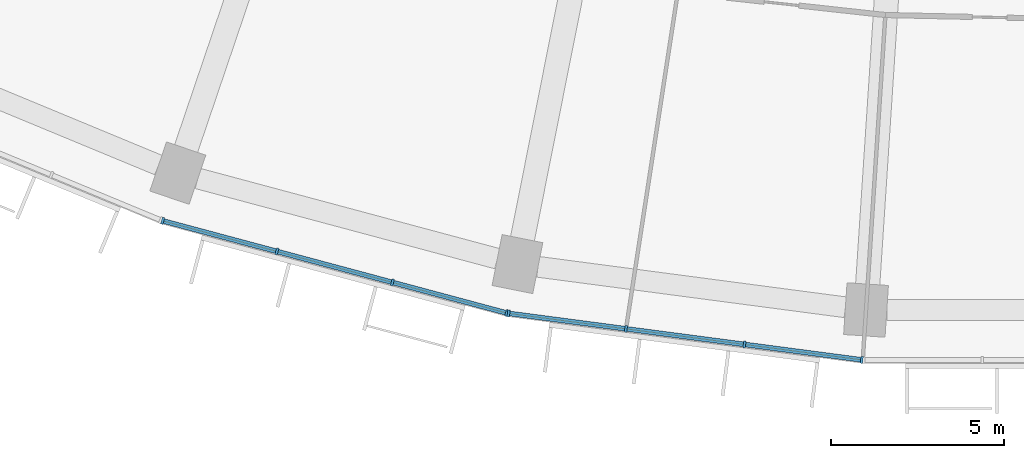
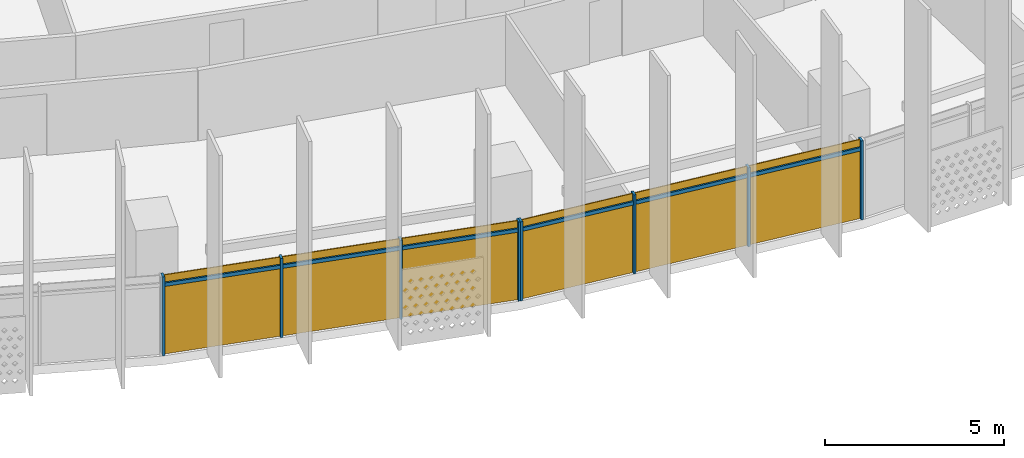
# One storey, part 19 of 30: 14 members, 2 curtain walls.
"""IFC4 building model written with IfcOpenShell, lengths in metres."""

from ifc_helpers import new_model, si_unit, direction, frame, origin, origin_2d, place, context, subcontext, project, spatial, rectangle, extrude, material, material_profile, profile_set, type_object, element, aggregate, save


model = new_model("IFC4")

# Units and contexts
model_context = context("Model", 3, precision=1e-05, world=origin(), true_north=direction((0.0, 1.0)))
body_context = subcontext(model_context, "Body", "Model", "MODEL_VIEW")
ifc_project = project(units=[si_unit("LENGTHUNIT", "METRE"), si_unit("AREAUNIT", "SQUARE_METRE"), si_unit("VOLUMEUNIT", "CUBIC_METRE"), si_unit("PLANEANGLEUNIT", "RADIAN"), si_unit("MASSUNIT", "GRAM", prefix="KILO")], contexts=[model_context])

# Member
ifc_material = material(Name="Aluminium 6063-T6 anodised", Category="aluminium")
ifc_material_profile_1 = material_profile(ifc_material, rectangle(XDim=0.199951171875, YDim=0.070068359375, at=origin_2d()))
ifc_profile_set_1 = profile_set([ifc_material_profile_1], Name="Aluminium 6063-T6 anodised")
member_type_1 = type_object("IfcMemberType", Name="Mullion 70 x 200 aluminium", PredefinedType="MULLION", material=ifc_profile_set_1)
site_placement = place(None, origin())
building_placement = place(site_placement, origin())
storey_placement = place(building_placement, frame((0.0, 0.0, 110.10009765625)))
member_1_placement = place(storey_placement, frame((-25.430419921875, -75.00390625, 0.0), z_axis=(0.0, 0.0, 1.0), x_axis=(0.258819045103, 0.965925826289, 0.0)))
member_1 = element("IfcMember", 1, at=member_1_placement, type_object=member_type_1, Name="e-cw1-L24-out07/M00", PredefinedType="MULLION", context=body_context, shape_type="SweptSolid", body=[
    extrude(rectangle(XDim=0.199951171875, YDim=0.070068359375, at=origin_2d()), origin(), (0.0, 0.0, 1.0), 2.699951171875),
])

member_2_placement = place(storey_placement, frame((-22.12451171875, -75.889892578125, 0.0), z_axis=(0.0, 0.0, 1.0), x_axis=(0.258819045103, 0.965925826289, 0.0)))
member_2 = element("IfcMember", 2, at=member_2_placement, type_object=member_type_1, Name="e-cw1-L24-out07/M01", PredefinedType="MULLION", context=body_context, shape_type="SweptSolid", body=[
    extrude(rectangle(XDim=0.199951171875, YDim=0.070068359375, at=origin_2d()), origin(), (0.0, 0.0, 1.0), 2.699951171875),
])

member_3_placement = place(storey_placement, frame((-18.78466796875, -76.78466796875, 0.0), z_axis=(0.0, 0.0, 1.0), x_axis=(0.258819045103, 0.965925826289, 0.0)))
member_3 = element("IfcMember", 3, at=member_3_placement, type_object=member_type_1, Name="e-cw1-L24-out07/M02", PredefinedType="MULLION", context=body_context, shape_type="SweptSolid", body=[
    extrude(rectangle(XDim=0.199951171875, YDim=0.070068359375, at=origin_2d()), origin(), (0.0, 0.0, 1.0), 2.699951171875),
])

member_4_placement = place(storey_placement, frame((-15.478515625, -77.670654296875, 0.0), z_axis=(0.0, 0.0, 1.0), x_axis=(0.258819045103, 0.965925826289, 0.0)))
member_4 = element("IfcMember", 4, at=member_4_placement, type_object=member_type_1, Name="e-cw1-L24-out07/M03", PredefinedType="MULLION", context=body_context, shape_type="SweptSolid", body=[
    extrude(rectangle(XDim=0.199951171875, YDim=0.070068359375, at=origin_2d()), origin(), (0.0, 0.0, 1.0), 2.699951171875),
])

member_5_placement = place(storey_placement, frame((-15.4228515625, -77.681640625, 0.0), z_axis=(0.0, 0.0, 1.0), x_axis=(0.13052619222, 0.991444861374, 0.0)))
member_5 = element("IfcMember", 5, at=member_5_placement, type_object=member_type_1, Name="e-cw1-L24-out08/M00", PredefinedType="MULLION", context=body_context, shape_type="SweptSolid", body=[
    extrude(rectangle(XDim=0.199951171875, YDim=0.070068359375, at=origin_2d()), origin(), (0.0, 0.0, 1.0), 2.699951171875),
])

member_6_placement = place(storey_placement, frame((-12.029541015625, -78.12841796875, 0.0), z_axis=(0.0, 0.0, 1.0), x_axis=(0.13052619222, 0.991444861374, 0.0)))
member_6 = element("IfcMember", 6, at=member_6_placement, type_object=member_type_1, Name="e-cw1-L24-out08/M01", PredefinedType="MULLION", context=body_context, shape_type="SweptSolid", body=[
    extrude(rectangle(XDim=0.199951171875, YDim=0.070068359375, at=origin_2d()), origin(), (0.0, 0.0, 1.0), 2.699951171875),
])

member_7_placement = place(storey_placement, frame((-8.6015625, -78.579833984375, 0.0), z_axis=(0.0, 0.0, 1.0), x_axis=(0.13052619222, 0.991444861374, 0.0)))
member_7 = element("IfcMember", 7, at=member_7_placement, type_object=member_type_1, Name="e-cw1-L24-out08/M02", PredefinedType="MULLION", context=body_context, shape_type="SweptSolid", body=[
    extrude(rectangle(XDim=0.199951171875, YDim=0.070068359375, at=origin_2d()), origin(), (0.0, 0.0, 1.0), 2.699951171875),
])

member_8_placement = place(storey_placement, frame((-5.2080078125, -79.026611328125, 0.0), z_axis=(0.0, 0.0, 1.0), x_axis=(0.13052619222, 0.991444861374, 0.0)))
member_8 = element("IfcMember", 8, at=member_8_placement, type_object=member_type_1, Name="e-cw1-L24-out08/M03", PredefinedType="MULLION", context=body_context, shape_type="SweptSolid", body=[
    extrude(rectangle(XDim=0.199951171875, YDim=0.070068359375, at=origin_2d()), origin(), (0.0, 0.0, 1.0), 2.699951171875),
])

ifc_material_profile_2 = material_profile(ifc_material, rectangle(XDim=0.139892578125, YDim=0.1201171875, at=origin_2d()))
ifc_profile_set_2 = profile_set([ifc_material_profile_2], Name="Aluminium 6063-T6 anodised")
member_type_2 = type_object("IfcMemberType", Name="Transom 120 x 140 aluminium", PredefinedType="USERDEFINED", material=ifc_profile_set_2)
member_9_placement = place(storey_placement, frame((-25.396728515625, -75.01318359375, 2.39990234375), z_axis=(0.965932125453, -0.258795535157, 0.0), x_axis=(0.258795535157, 0.965932125453, 0.0)))
member_9 = element("IfcMember", 9, at=member_9_placement, type_object=member_type_2, Name="e-cw1-L24-out07/T00", ObjectType="TRANSOM", PredefinedType="USERDEFINED", context=body_context, shape_type="SweptSolid", body=[
    extrude(rectangle(XDim=0.139892578125, YDim=0.1201171875, at=origin_2d()), origin(), (0.0, 0.0, 1.0), 3.352783203125),
])

member_10_placement = place(storey_placement, frame((-22.090576171875, -75.89892578125, 2.39990234375), z_axis=(0.965931646033, -0.258797324547, 0.0), x_axis=(0.258797324547, 0.965931646033, 0.0)))
member_10 = element("IfcMember", 10, at=member_10_placement, type_object=member_type_2, Name="e-cw1-L24-out07/T01", ObjectType="TRANSOM", PredefinedType="USERDEFINED", context=body_context, shape_type="SweptSolid", body=[
    extrude(rectangle(XDim=0.139892578125, YDim=0.1201171875, at=origin_2d()), origin(), (0.0, 0.0, 1.0), 3.3876953125),
])

member_11_placement = place(storey_placement, frame((-18.750732421875, -76.7939453125, 2.39990234375), z_axis=(0.965927247937, -0.258813739382, 0.0), x_axis=(0.258813739382, 0.965927247937, 0.0)))
member_11 = element("IfcMember", 11, at=member_11_placement, type_object=member_type_2, Name="e-cw1-L24-out07/T02", ObjectType="TRANSOM", PredefinedType="USERDEFINED", context=body_context, shape_type="SweptSolid", body=[
    extrude(rectangle(XDim=0.139892578125, YDim=0.1201171875, at=origin_2d()), origin(), (0.0, 0.0, 1.0), 3.3525390625),
])

member_12_placement = place(storey_placement, frame((-15.38818359375, -77.686279296875, 2.39990234375), z_axis=(0.991449089759, -0.130494070426, 0.0), x_axis=(0.130494070426, 0.991449089759, 0.0)))
member_12 = element("IfcMember", 12, at=member_12_placement, type_object=member_type_2, Name="e-cw1-L24-out08/T00", ObjectType="TRANSOM", PredefinedType="USERDEFINED", context=body_context, shape_type="SweptSolid", body=[
    extrude(rectangle(XDim=0.139892578125, YDim=0.1201171875, at=origin_2d()), origin(), (0.0, 0.0, 1.0), 3.3525390625),
])

member_13_placement = place(storey_placement, frame((-11.994873046875, -78.133056640625, 2.39990234375), z_axis=(0.991446198807, -0.130516033004, 0.0), x_axis=(0.130516033004, 0.991446198807, 0.0)))
member_13 = element("IfcMember", 13, at=member_13_placement, type_object=member_type_2, Name="e-cw1-L24-out08/T01", ObjectType="TRANSOM", PredefinedType="USERDEFINED", context=body_context, shape_type="SweptSolid", body=[
    extrude(rectangle(XDim=0.139892578125, YDim=0.1201171875, at=origin_2d()), origin(), (0.0, 0.0, 1.0), 3.3876953125),
])

member_14_placement = place(storey_placement, frame((-8.56689453125, -78.584228515625, 2.39990234375), z_axis=(0.991439665896, -0.130565649721, 0.0), x_axis=(0.130565649721, 0.991439665896, 0.0)))
member_14 = element("IfcMember", 14, at=member_14_placement, type_object=member_type_2, Name="e-cw1-L24-out08/T02", ObjectType="TRANSOM", PredefinedType="USERDEFINED", context=body_context, shape_type="SweptSolid", body=[
    extrude(rectangle(XDim=0.139892578125, YDim=0.1201171875, at=origin_2d()), origin(), (0.0, 0.0, 1.0), 3.352783203125),
])

# Site, building, storey
site = spatial("IfcSite", under=ifc_project, at=site_placement, CompositionType="ELEMENT")
building = spatial("IfcBuilding", under=site, at=building_placement, Name="Qamariyya Broadcast Tower", CompositionType="ELEMENT")
storey = spatial("IfcBuildingStorey", under=building, at=storey_placement, Name="L24", CompositionType="ELEMENT", Elevation=110.10009765625)

# Curtain wall
curtain_wall_type = type_object("IfcCurtainWallType", Name="Unitised curtain wall, anodised aluminium", PredefinedType="NOTDEFINED", material=ifc_material)
curtain_wall_1_placement = place(storey_placement, origin())
curtain_wall_1 = element("IfcCurtainWall", 15, at=curtain_wall_1_placement, inside=storey, type_object=curtain_wall_type, Name="e-cw1-L24-out07", PredefinedType="NOTDEFINED", context=body_context, shape_type="SweptSolid", body=[
    extrude(rectangle(XDim=3.352783203125, YDim=0.031982421875, at=origin_2d()), frame((-23.777587890625, -75.44677734375, 0.0), x_axis=(0.965923677743, -0.258827063454, 0.0)), (0.0, 0.0, 1.0), 2.340087890625),
    extrude(rectangle(XDim=3.352783203125, YDim=0.031982421875, at=origin_2d()), frame((-23.777587890625, -75.44677734375, 2.4599609375), x_axis=(0.965923677743, -0.258827063454, 0.0)), (0.0, 0.0, 1.0), 0.239990234375),
    extrude(rectangle(XDim=3.3876953125, YDim=0.031982421875, at=origin_2d()), frame((-20.45458984375, -76.33740234375, 0.0), x_axis=(0.965923677743, -0.258827063454, 0.0)), (0.0, 0.0, 1.0), 2.340087890625),
    extrude(rectangle(XDim=3.3876953125, YDim=0.031982421875, at=origin_2d()), frame((-20.45458984375, -76.33740234375, 2.4599609375), x_axis=(0.965923677743, -0.258827063454, 0.0)), (0.0, 0.0, 1.0), 0.239990234375),
    extrude(rectangle(XDim=3.352783203125, YDim=0.031982421875, at=origin_2d()), frame((-17.131591796875, -77.227783203125, 0.0), x_axis=(0.965923677743, -0.258827063454, 0.0)), (0.0, 0.0, 1.0), 2.340087890625),
    extrude(rectangle(XDim=3.352783203125, YDim=0.031982421875, at=origin_2d()), frame((-17.131591796875, -77.227783203125, 2.4599609375), x_axis=(0.965923677743, -0.258827063454, 0.0)), (0.0, 0.0, 1.0), 0.239990234375),
])

aggregate(curtain_wall_1, [member_1, member_2, member_3, member_4, member_9, member_10, member_11])

curtain_wall_2_placement = place(storey_placement, origin())
curtain_wall_2 = element("IfcCurtainWall", 16, at=curtain_wall_2_placement, inside=storey, type_object=curtain_wall_type, Name="e-cw1-L24-out08", PredefinedType="NOTDEFINED", context=body_context, shape_type="SweptSolid", body=[
    extrude(rectangle(XDim=3.3525390625, YDim=0.031982421875, at=origin_2d()), frame((-13.72607421875, -77.9052734375, 0.0), x_axis=(0.991447084105, -0.13050930779, 0.0)), (0.0, 0.0, 1.0), 2.340087890625),
    extrude(rectangle(XDim=3.3525390625, YDim=0.031982421875, at=origin_2d()), frame((-13.72607421875, -77.9052734375, 2.4599609375), x_axis=(0.991447084105, -0.13050930779, 0.0)), (0.0, 0.0, 1.0), 0.239990234375),
    extrude(rectangle(XDim=3.3876953125, YDim=0.031982421875, at=origin_2d()), frame((-10.3154296875, -78.35400390625, 0.0), x_axis=(0.991447084105, -0.13050930779, 0.0)), (0.0, 0.0, 1.0), 2.340087890625),
    extrude(rectangle(XDim=3.3876953125, YDim=0.031982421875, at=origin_2d()), frame((-10.3154296875, -78.35400390625, 2.4599609375), x_axis=(0.991447084105, -0.13050930779, 0.0)), (0.0, 0.0, 1.0), 0.239990234375),
    extrude(rectangle(XDim=3.3525390625, YDim=0.031982421875, at=origin_2d()), frame((-6.90478515625, -78.802978515625, 0.0), x_axis=(0.991447084105, -0.13050930779, 0.0)), (0.0, 0.0, 1.0), 2.340087890625),
    extrude(rectangle(XDim=3.3525390625, YDim=0.031982421875, at=origin_2d()), frame((-6.90478515625, -78.802978515625, 2.4599609375), x_axis=(0.991447084105, -0.13050930779, 0.0)), (0.0, 0.0, 1.0), 0.239990234375),
])

aggregate(curtain_wall_2, [member_5, member_6, member_7, member_8, member_12, member_13, member_14])

save(model, "model.ifc")
